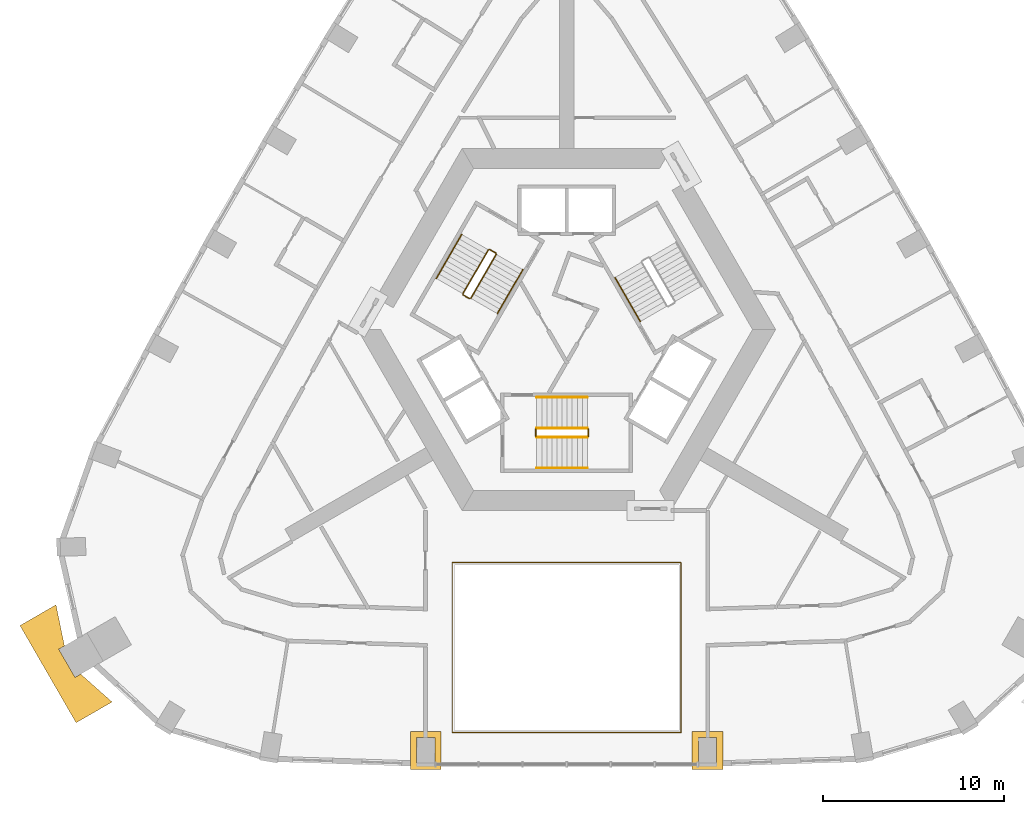
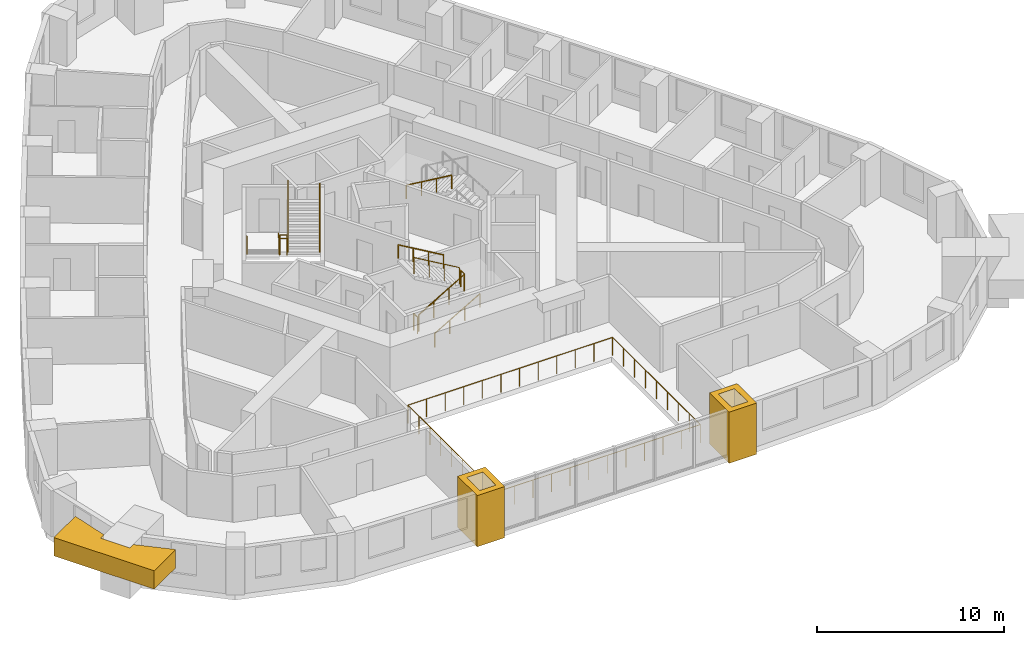
# One storey, part 10 of 12: 14 railings, 3 coverings.
"""IFC4 building model written with IfcOpenShell, lengths in metres."""

from ifc_helpers import new_model, si_unit, direction, frame, origin, origin_2d, place, context, subcontext, project, spatial, polyline, circle, outline, extrude, material, type_object, element, save


model = new_model("IFC4")

# Units and contexts
model_context = context("Model", 3, precision=1e-05, world=origin(), true_north=direction((0.0, 1.0)))
body_context = subcontext(model_context, "Body", "Model", "MODEL_VIEW")
ifc_project = project(units=[si_unit("LENGTHUNIT", "METRE"), si_unit("AREAUNIT", "SQUARE_METRE"), si_unit("VOLUMEUNIT", "CUBIC_METRE"), si_unit("PLANEANGLEUNIT", "RADIAN"), si_unit("MASSUNIT", "GRAM", prefix="KILO")], contexts=[model_context])

# Site, building, storey
site_placement = place(None, origin())
site = spatial("IfcSite", under=ifc_project, at=site_placement, CompositionType="ELEMENT")
building_placement = place(site_placement, origin())
building = spatial("IfcBuilding", under=site, at=building_placement, Name="Entoto Arch Interchange Tower", CompositionType="ELEMENT")
storey_placement = place(building_placement, frame((0.0, 0.0, 277.39990234375)))
storey = spatial("IfcBuildingStorey", under=building, at=storey_placement, Name="L64", CompositionType="ELEMENT", Elevation=277.39990234375)

# Railing
ifc_material_1 = material(Name="Stainless steel 1.4301", Category="steel")
railing_type_1 = type_object("IfcRailingType", Name="ATRIUM GUARD 1200 STEEL AND GLASS", PredefinedType="GUARDRAIL", material=ifc_material_1)
railing_1_placement = place(storey_placement, frame((6.320068359375, -19.77001953125, 0.0)))
element("IfcRailing", 1, at=railing_1_placement, inside=storey, type_object=railing_type_1, Name="Atrium guard L64", PredefinedType="GUARDRAIL", context=body_context, shape_type="SweptSolid", body=[
    extrude(circle(Radius=0.02392578125, at=origin_2d()), frame((0.0, 0.0, 1.17578125), z_axis=(-1.0, 0.0, 0.0), x_axis=(0.0, -1.0, 0.0)), (0.0, 0.0, 1.0), 12.64013671875),
    extrude(circle(Radius=0.02392578125, at=origin_2d()), frame((-12.64013671875, 0.0, 1.17578125), z_axis=(0.0, 1.0, 0.0), x_axis=(-1.0, 0.0, 0.0)), (0.0, 0.0, 1.0), 9.39013671875),
    extrude(circle(Radius=0.02392578125, at=origin_2d()), frame((-12.64013671875, 9.39013671875, 1.17578125), z_axis=(1.0, 0.0, 0.0), x_axis=(0.0, 1.0, 0.0)), (0.0, 0.0, 1.0), 12.64013671875),
    extrude(circle(Radius=0.02392578125, at=origin_2d()), frame((0.0, 9.39013671875, 1.17578125), z_axis=(0.0, -1.0, 0.0), x_axis=(1.0, 0.0, 0.0)), (0.0, 0.0, 1.0), 9.39013671875),
    extrude(circle(Radius=0.02099609375, at=origin_2d()), origin(), (0.0, 0.0, 1.0), 1.15185546875),
    extrude(circle(Radius=0.02099609375, at=origin_2d()), frame((-1.149169921875, 0.0, 0.0)), (0.0, 0.0, 1.0), 1.15185546875),
    extrude(circle(Radius=0.02099609375, at=origin_2d()), frame((-2.298095703125, 0.0, 0.0)), (0.0, 0.0, 1.0), 1.15185546875),
    extrude(circle(Radius=0.02099609375, at=origin_2d()), frame((-3.447265625, 0.0, 0.0)), (0.0, 0.0, 1.0), 1.15185546875),
    extrude(circle(Radius=0.02099609375, at=origin_2d()), frame((-4.596435546875, 0.0, 0.0)), (0.0, 0.0, 1.0), 1.15185546875),
    extrude(circle(Radius=0.02099609375, at=origin_2d()), frame((-5.74560546875, 0.0, 0.0)), (0.0, 0.0, 1.0), 1.15185546875),
    extrude(circle(Radius=0.02099609375, at=origin_2d()), frame((-6.89453125, 0.0, 0.0)), (0.0, 0.0, 1.0), 1.15185546875),
    extrude(circle(Radius=0.02099609375, at=origin_2d()), frame((-8.043701171875, 0.0, 0.0)), (0.0, 0.0, 1.0), 1.15185546875),
    extrude(circle(Radius=0.02099609375, at=origin_2d()), frame((-9.19287109375, 0.0, 0.0)), (0.0, 0.0, 1.0), 1.15185546875),
    extrude(circle(Radius=0.02099609375, at=origin_2d()), frame((-10.342041015625, 0.0, 0.0)), (0.0, 0.0, 1.0), 1.15185546875),
    extrude(circle(Radius=0.02099609375, at=origin_2d()), frame((-11.490966796875, 0.0, 0.0)), (0.0, 0.0, 1.0), 1.15185546875),
    extrude(circle(Radius=0.02099609375, at=origin_2d()), frame((-12.64013671875, 0.0, 0.0)), (0.0, 0.0, 1.0), 1.15185546875),
    extrude(circle(Radius=0.02099609375, at=origin_2d()), frame((-12.64013671875, 1.173828125, 0.0)), (0.0, 0.0, 1.0), 1.15185546875),
    extrude(circle(Radius=0.02099609375, at=origin_2d()), frame((-12.64013671875, 2.34765625, 0.0)), (0.0, 0.0, 1.0), 1.15185546875),
    extrude(circle(Radius=0.02099609375, at=origin_2d()), frame((-12.64013671875, 3.521240234375, 0.0)), (0.0, 0.0, 1.0), 1.15185546875),
    extrude(circle(Radius=0.02099609375, at=origin_2d()), frame((-12.64013671875, 4.695068359375, 0.0)), (0.0, 0.0, 1.0), 1.15185546875),
    extrude(circle(Radius=0.02099609375, at=origin_2d()), frame((-12.64013671875, 5.868896484375, 0.0)), (0.0, 0.0, 1.0), 1.15185546875),
    extrude(circle(Radius=0.02099609375, at=origin_2d()), frame((-12.64013671875, 7.04248046875, 0.0)), (0.0, 0.0, 1.0), 1.15185546875),
    extrude(circle(Radius=0.02099609375, at=origin_2d()), frame((-12.64013671875, 8.21630859375, 0.0)), (0.0, 0.0, 1.0), 1.15185546875),
    extrude(circle(Radius=0.02099609375, at=origin_2d()), frame((-12.64013671875, 9.39013671875, 0.0)), (0.0, 0.0, 1.0), 1.15185546875),
    extrude(circle(Radius=0.02099609375, at=origin_2d()), frame((-11.490966796875, 9.39013671875, 0.0)), (0.0, 0.0, 1.0), 1.15185546875),
    extrude(circle(Radius=0.02099609375, at=origin_2d()), frame((-10.342041015625, 9.39013671875, 0.0)), (0.0, 0.0, 1.0), 1.15185546875),
    extrude(circle(Radius=0.02099609375, at=origin_2d()), frame((-9.19287109375, 9.39013671875, 0.0)), (0.0, 0.0, 1.0), 1.15185546875),
    extrude(circle(Radius=0.02099609375, at=origin_2d()), frame((-8.043701171875, 9.39013671875, 0.0)), (0.0, 0.0, 1.0), 1.15185546875),
    extrude(circle(Radius=0.02099609375, at=origin_2d()), frame((-6.89453125, 9.39013671875, 0.0)), (0.0, 0.0, 1.0), 1.15185546875),
    extrude(circle(Radius=0.02099609375, at=origin_2d()), frame((-5.74560546875, 9.39013671875, 0.0)), (0.0, 0.0, 1.0), 1.15185546875),
    extrude(circle(Radius=0.02099609375, at=origin_2d()), frame((-4.596435546875, 9.39013671875, 0.0)), (0.0, 0.0, 1.0), 1.15185546875),
    extrude(circle(Radius=0.02099609375, at=origin_2d()), frame((-3.447265625, 9.39013671875, 0.0)), (0.0, 0.0, 1.0), 1.15185546875),
    extrude(circle(Radius=0.02099609375, at=origin_2d()), frame((-2.298095703125, 9.39013671875, 0.0)), (0.0, 0.0, 1.0), 1.15185546875),
    extrude(circle(Radius=0.02099609375, at=origin_2d()), frame((-1.149169921875, 9.39013671875, 0.0)), (0.0, 0.0, 1.0), 1.15185546875),
    extrude(circle(Radius=0.02099609375, at=origin_2d()), frame((0.0, 9.39013671875, 0.0)), (0.0, 0.0, 1.0), 1.15185546875),
    extrude(circle(Radius=0.02099609375, at=origin_2d()), frame((0.0, 8.21630859375, 0.0)), (0.0, 0.0, 1.0), 1.15185546875),
    extrude(circle(Radius=0.02099609375, at=origin_2d()), frame((0.0, 7.04248046875, 0.0)), (0.0, 0.0, 1.0), 1.15185546875),
    extrude(circle(Radius=0.02099609375, at=origin_2d()), frame((0.0, 5.868896484375, 0.0)), (0.0, 0.0, 1.0), 1.15185546875),
    extrude(circle(Radius=0.02099609375, at=origin_2d()), frame((0.0, 4.695068359375, 0.0)), (0.0, 0.0, 1.0), 1.15185546875),
    extrude(circle(Radius=0.02099609375, at=origin_2d()), frame((0.0, 3.521240234375, 0.0)), (0.0, 0.0, 1.0), 1.15185546875),
    extrude(circle(Radius=0.02099609375, at=origin_2d()), frame((0.0, 2.34765625, 0.0)), (0.0, 0.0, 1.0), 1.15185546875),
    extrude(circle(Radius=0.02099609375, at=origin_2d()), frame((0.0, 1.173828125, 0.0)), (0.0, 0.0, 1.0), 1.15185546875),
])

# Coverings
ifc_material_2 = material(Name="Board-marked precast concrete C50/60", Category="concrete")
covering_type = type_object("IfcCoveringType", Name="PRECAST FRAME COURSE", PredefinedType="CLADDING", material=ifc_material_2)
covering_1_placement = place(storey_placement, frame((0.0, 0.0, 1.800048828125)))
element("IfcCovering", 2, at=covering_1_placement, inside=storey, type_object=covering_type, Name="Corner pilaster head SW L63-L64", PredefinedType="CLADDING", context=body_context, shape_type="SweptSolid", body=[
    extrude(outline(polyline([(-27.10498046875, -19.22900390625), (-30.205078125, -13.85888671875), (-28.216064453125, -12.7109375), (-27.75, -14.98291015625), (-28.06494140625, -15.1650390625), (-27.1650390625, -16.722900390625), (-26.85107421875, -16.5419921875), (-25.115966796875, -18.0810546875), (-27.10498046875, -19.22900390625)])), origin(), (0.0, 0.0, 1.0), 1.199951171875),
])
covering_2_placement = place(storey_placement, frame((0.0, 0.0, -0.33984375)))
element("IfcCovering", 3, at=covering_2_placement, inside=storey, type_object=covering_type, Name="Gate pier L64", PredefinedType="CLADDING", context=body_context, shape_type="SweptSolid", body=[
    extrude(outline(polyline([(-8.634033203125, -19.699951171875), (-6.93408203125, -19.699951171875), (-6.93408203125, -21.800048828125), (-8.634033203125, -21.800048828125), (-8.634033203125, -19.699951171875)]), holes=[polyline([(-8.283935546875, -20.050048828125), (-8.283935546875, -21.449951171875), (-7.283935546875, -21.449951171875), (-7.283935546875, -20.050048828125), (-8.283935546875, -20.050048828125)])]), origin(), (0.0, 0.0, 1.0), 3.33984375),
])
covering_3_placement = place(storey_placement, frame((0.0, 0.0, -0.33984375)))
element("IfcCovering", 4, at=covering_3_placement, inside=storey, type_object=covering_type, Name="Gate pier L64", PredefinedType="CLADDING", context=body_context, shape_type="SweptSolid", body=[
    extrude(outline(polyline([(6.93408203125, -19.699951171875), (8.634033203125, -19.699951171875), (8.634033203125, -21.800048828125), (6.93408203125, -21.800048828125), (6.93408203125, -19.699951171875)]), holes=[polyline([(7.283935546875, -20.050048828125), (7.283935546875, -21.449951171875), (8.283935546875, -21.449951171875), (8.283935546875, -20.050048828125), (7.283935546875, -20.050048828125)])]), origin(), (0.0, 0.0, 1.0), 3.33984375),
])

# Railings
railing_type_2 = type_object("IfcRailingType", Name="STAIR GUARD 1100 STEEL", PredefinedType="GUARDRAIL", material=ifc_material_1)
railing_2_placement = place(storey_placement, frame((-1.64990234375, -3.449951171875, 0.163818359375)))
element("IfcRailing", 5, at=railing_2_placement, inside=storey, type_object=railing_type_2, Name="L64 ST-S stair guard 1", PredefinedType="GUARDRAIL", context=body_context, shape_type="SweptSolid", body=[
    extrude(circle(Radius=0.02392578125, at=origin_2d()), frame((0.0, 0.0, 1.076171875), z_axis=(0.863374499697, 0.0, 0.504563646405), x_axis=(0.0, 1.0, 0.0)), (0.0, 0.0, 1.0), 3.242919921875),
    extrude(circle(Radius=0.02099609375, at=origin_2d()), origin(), (0.0, 0.0, 1.0), 1.052001953125),
    extrude(circle(Radius=0.02099609375, at=origin_2d()), frame((0.933349609375, 0.0, 0.54541015625)), (0.0, 0.0, 1.0), 1.052001953125),
    extrude(circle(Radius=0.02099609375, at=origin_2d()), frame((1.866455078125, 0.0, 1.0908203125)), (0.0, 0.0, 1.0), 1.052001953125),
    extrude(circle(Radius=0.02099609375, at=origin_2d()), frame((2.7998046875, 0.0, 1.63623046875)), (0.0, 0.0, 1.0), 1.052001953125),
])
railing_3_placement = place(storey_placement, frame((1.199951171875, -3.39990234375, 1.800048828125)))
element("IfcRailing", 6, at=railing_3_placement, inside=storey, type_object=railing_type_2, Name="L64 ST-S stair guard 2", PredefinedType="GUARDRAIL", context=body_context, shape_type="SweptSolid", body=[
    extrude(circle(Radius=0.02392578125, at=origin_2d()), frame((0.0, 0.0, 1.076171875), z_axis=(0.0, 1.0, 0.0), x_axis=(-1.0, 0.0, 0.0)), (0.0, 0.0, 1.0), 0.39990234375),
    extrude(circle(Radius=0.02099609375, at=origin_2d()), origin(), (0.0, 0.0, 1.0), 1.052001953125),
    extrude(circle(Radius=0.02099609375, at=origin_2d()), frame((0.0, 0.39990234375, 0.0)), (0.0, 0.0, 1.0), 1.052001953125),
])
railing_4_placement = place(storey_placement, frame((1.14990234375, -2.949951171875, 1.963623046875)))
element("IfcRailing", 7, at=railing_4_placement, inside=storey, type_object=railing_type_2, Name="L64 ST-S stair guard 3", PredefinedType="GUARDRAIL", context=body_context, shape_type="SweptSolid", body=[
    extrude(circle(Radius=0.02392578125, at=origin_2d()), frame((0.0, 0.0, 1.076171875), z_axis=(-0.863341702679, 0.0, 0.504619762213), x_axis=(0.0, -1.0, 0.0)), (0.0, 0.0, 1.0), 3.242919921875),
    extrude(circle(Radius=0.02099609375, at=origin_2d()), origin(), (0.0, 0.0, 1.0), 1.052001953125),
    extrude(circle(Radius=0.02099609375, at=origin_2d()), frame((-0.933349609375, 0.0, 0.54541015625)), (0.0, 0.0, 1.0), 1.052001953125),
    extrude(circle(Radius=0.02099609375, at=origin_2d()), frame((-1.866455078125, 0.0, 1.091064453125)), (0.0, 0.0, 1.0), 1.052001953125),
    extrude(circle(Radius=0.02099609375, at=origin_2d()), frame((-2.7998046875, 0.0, 1.636474609375)), (0.0, 0.0, 1.0), 1.052001953125),
])
railing_5_placement = place(storey_placement, frame((-1.699951171875, -3.39990234375, 0.0)))
element("IfcRailing", 8, at=railing_5_placement, inside=storey, type_object=railing_type_2, Name="L64 ST-S stair guard 4", PredefinedType="GUARDRAIL", context=body_context, shape_type="SweptSolid", body=[
    extrude(circle(Radius=0.02392578125, at=origin_2d()), frame((0.0, 0.0, 1.076171875), z_axis=(0.0, 1.0, 0.0), x_axis=(-1.0, 0.0, 0.0)), (0.0, 0.0, 1.0), 0.39990234375),
    extrude(circle(Radius=0.02099609375, at=origin_2d()), origin(), (0.0, 0.0, 1.0), 1.052001953125),
    extrude(circle(Radius=0.02099609375, at=origin_2d()), frame((0.0, 0.39990234375, 0.0)), (0.0, 0.0, 1.0), 1.052001953125),
])
railing_6_placement = place(storey_placement, frame((-4.327880859375, 6.904052734375, 0.163818359375)))
element("IfcRailing", 9, at=railing_6_placement, inside=storey, type_object=railing_type_2, Name="L64 ST-NW stair guard 1", PredefinedType="GUARDRAIL", context=body_context, shape_type="SweptSolid", body=[
    extrude(circle(Radius=0.02392578125, at=origin_2d()), frame((0.0, 0.0, 1.076171875), z_axis=(-0.43165272891, -0.747751404999, 0.504523297725), x_axis=(0.866056369097, -0.49994636267, 0.0)), (0.0, 0.0, 1.0), 3.2431640625),
    extrude(circle(Radius=0.02099609375, at=origin_2d()), origin(), (0.0, 0.0, 1.0), 1.052001953125),
    extrude(circle(Radius=0.02099609375, at=origin_2d()), frame((-0.466552734375, -0.808349609375, 0.54541015625)), (0.0, 0.0, 1.0), 1.052001953125),
    extrude(circle(Radius=0.02099609375, at=origin_2d()), frame((-0.933349609375, -1.61669921875, 1.0908203125)), (0.0, 0.0, 1.0), 1.052001953125),
    extrude(circle(Radius=0.02099609375, at=origin_2d()), frame((-1.39990234375, -2.425048828125, 1.63623046875)), (0.0, 0.0, 1.0), 1.052001953125),
])
railing_7_placement = place(storey_placement, frame((-5.70947265625, 4.410888671875, 1.800048828125)))
element("IfcRailing", 10, at=railing_7_placement, inside=storey, type_object=railing_type_2, Name="L64 ST-NW stair guard 2", PredefinedType="GUARDRAIL", context=body_context, shape_type="SweptSolid", body=[
    extrude(circle(Radius=0.02392578125, at=origin_2d()), frame((0.0, 0.0, 1.076171875), z_axis=(0.865829829939, -0.500338590944, 0.0), x_axis=(0.500338590944, 0.865829829939, 0.0)), (0.0, 0.0, 1.0), 0.400146484375),
    extrude(circle(Radius=0.02099609375, at=origin_2d()), origin(), (0.0, 0.0, 1.0), 1.052001953125),
    extrude(circle(Radius=0.02099609375, at=origin_2d()), frame((0.346435546875, -0.2001953125, 0.0)), (0.0, 0.0, 1.0), 1.052001953125),
])
railing_8_placement = place(storey_placement, frame((-5.294921875, 4.22900390625, 1.963623046875)))
element("IfcRailing", 11, at=railing_8_placement, inside=storey, type_object=railing_type_2, Name="L64 ST-NW stair guard 3", PredefinedType="GUARDRAIL", context=body_context, shape_type="SweptSolid", body=[
    extrude(circle(Radius=0.02392578125, at=origin_2d()), frame((0.0, 0.0, 1.076171875), z_axis=(0.431697583215, 0.747698708645, 0.504563016616), x_axis=(-0.866018616679, 0.500011755427, 0.0)), (0.0, 0.0, 1.0), 3.243408203125),
    extrude(circle(Radius=0.02099609375, at=origin_2d()), origin(), (0.0, 0.0, 1.0), 1.052001953125),
    extrude(circle(Radius=0.02099609375, at=origin_2d()), frame((0.466796875, 0.808349609375, 0.54541015625)), (0.0, 0.0, 1.0), 1.052001953125),
    extrude(circle(Radius=0.02099609375, at=origin_2d()), frame((0.933349609375, 1.61669921875, 1.091064453125)), (0.0, 0.0, 1.0), 1.052001953125),
    extrude(circle(Radius=0.02099609375, at=origin_2d()), frame((1.400146484375, 2.425048828125, 1.636474609375)), (0.0, 0.0, 1.0), 1.052001953125),
])
railing_9_placement = place(storey_placement, frame((-4.259521484375, 6.92236328125, 0.0)))
element("IfcRailing", 12, at=railing_9_placement, inside=storey, type_object=railing_type_2, Name="L64 ST-NW stair guard 4", PredefinedType="GUARDRAIL", context=body_context, shape_type="SweptSolid", body=[
    extrude(circle(Radius=0.02392578125, at=origin_2d()), frame((0.0, 0.0, 1.076171875), z_axis=(0.865829829939, -0.500338590944, 0.0), x_axis=(0.500338590944, 0.865829829939, 0.0)), (0.0, 0.0, 1.0), 0.400146484375),
    extrude(circle(Radius=0.02099609375, at=origin_2d()), origin(), (0.0, 0.0, 1.0), 1.052001953125),
    extrude(circle(Radius=0.02099609375, at=origin_2d()), frame((0.346435546875, -0.2001953125, 0.0)), (0.0, 0.0, 1.0), 1.052001953125),
])
railing_type_3 = type_object("IfcRailingType", Name="STAIR HANDRAIL 900 STEEL", PredefinedType="HANDRAIL", material=ifc_material_1)
railing_10_placement = place(storey_placement, frame((-1.64990234375, -5.14990234375, 0.163818359375)))
element("IfcRailing", 13, at=railing_10_placement, inside=storey, type_object=railing_type_3, Name="L64 ST-S stair handrail 1", PredefinedType="HANDRAIL", context=body_context, shape_type="SweptSolid", body=[
    extrude(circle(Radius=0.02392578125, at=origin_2d()), frame((0.0, 0.0, 0.8759765625), z_axis=(0.863374499697, 0.0, 0.504563646405), x_axis=(0.0, 1.0, 0.0)), (0.0, 0.0, 1.0), 3.242919921875),
    extrude(circle(Radius=0.02099609375, at=origin_2d()), origin(), (0.0, 0.0, 1.0), 0.851806640625),
    extrude(circle(Radius=0.02099609375, at=origin_2d()), frame((0.933349609375, 0.0, 0.54541015625)), (0.0, 0.0, 1.0), 0.851806640625),
    extrude(circle(Radius=0.02099609375, at=origin_2d()), frame((1.866455078125, 0.0, 1.0908203125)), (0.0, 0.0, 1.0), 0.851806640625),
    extrude(circle(Radius=0.02099609375, at=origin_2d()), frame((2.7998046875, 0.0, 1.63623046875)), (0.0, 0.0, 1.0), 0.851806640625),
])
railing_11_placement = place(storey_placement, frame((1.14990234375, -1.25, 1.963623046875)))
element("IfcRailing", 14, at=railing_11_placement, inside=storey, type_object=railing_type_3, Name="L64 ST-S stair handrail 2", PredefinedType="HANDRAIL", context=body_context, shape_type="SweptSolid", body=[
    extrude(circle(Radius=0.02392578125, at=origin_2d()), frame((0.0, 0.0, 0.8759765625), z_axis=(-0.863341702679, 0.0, 0.504619762213), x_axis=(0.0, -1.0, 0.0)), (0.0, 0.0, 1.0), 3.242919921875),
    extrude(circle(Radius=0.02099609375, at=origin_2d()), origin(), (0.0, 0.0, 1.0), 0.851806640625),
    extrude(circle(Radius=0.02099609375, at=origin_2d()), frame((-0.933349609375, 0.0, 0.54541015625)), (0.0, 0.0, 1.0), 0.851806640625),
    extrude(circle(Radius=0.02099609375, at=origin_2d()), frame((-1.866455078125, 0.0, 1.091064453125)), (0.0, 0.0, 1.0), 0.851806640625),
    extrude(circle(Radius=0.02099609375, at=origin_2d()), frame((-2.7998046875, 0.0, 1.636474609375)), (0.0, 0.0, 1.0), 0.851806640625),
])
railing_12_placement = place(storey_placement, frame((2.672607421875, 5.370849609375, 1.963623046875)))
element("IfcRailing", 15, at=railing_12_placement, inside=storey, type_object=railing_type_3, Name="L64 ST-NE stair handrail 2", PredefinedType="HANDRAIL", context=body_context, shape_type="SweptSolid", body=[
    extrude(circle(Radius=0.02392578125, at=origin_2d()), frame((0.0, 0.0, 0.8759765625), z_axis=(0.431660630283, -0.747689811644, 0.504607813879), x_axis=(0.866034573852, 0.49998411664, 0.0)), (0.0, 0.0, 1.0), 3.2431640625),
    extrude(circle(Radius=0.02099609375, at=origin_2d()), origin(), (0.0, 0.0, 1.0), 0.851806640625),
    extrude(circle(Radius=0.02099609375, at=origin_2d()), frame((0.466552734375, -0.808349609375, 0.54541015625)), (0.0, 0.0, 1.0), 0.851806640625),
    extrude(circle(Radius=0.02099609375, at=origin_2d()), frame((0.933349609375, -1.616455078125, 1.091064453125)), (0.0, 0.0, 1.0), 0.851806640625),
    extrude(circle(Radius=0.02099609375, at=origin_2d()), frame((1.39990234375, -2.4248046875, 1.636474609375)), (0.0, 0.0, 1.0), 0.851806640625),
])
railing_13_placement = place(storey_placement, frame((-5.800048828125, 7.75390625, 0.163818359375)))
element("IfcRailing", 16, at=railing_13_placement, inside=storey, type_object=railing_type_3, Name="L64 ST-NW stair handrail 1", PredefinedType="HANDRAIL", context=body_context, shape_type="SweptSolid", body=[
    extrude(circle(Radius=0.02392578125, at=origin_2d()), frame((0.0, 0.0, 0.8759765625), z_axis=(-0.431738279637, -0.747693913401, 0.504535300807), x_axis=(0.865996816683, -0.500049511043, 0.0)), (0.0, 0.0, 1.0), 3.2431640625),
    extrude(circle(Radius=0.02099609375, at=origin_2d()), origin(), (0.0, 0.0, 1.0), 0.851806640625),
    extrude(circle(Radius=0.02099609375, at=origin_2d()), frame((-0.466796875, -0.808349609375, 0.54541015625)), (0.0, 0.0, 1.0), 0.851806640625),
    extrude(circle(Radius=0.02099609375, at=origin_2d()), frame((-0.933349609375, -1.616455078125, 1.0908203125)), (0.0, 0.0, 1.0), 0.851806640625),
    extrude(circle(Radius=0.02099609375, at=origin_2d()), frame((-1.400146484375, -2.4248046875, 1.63623046875)), (0.0, 0.0, 1.0), 0.851806640625),
])
railing_14_placement = place(storey_placement, frame((-3.822509765625, 3.379150390625, 1.963623046875)))
element("IfcRailing", 17, at=railing_14_placement, inside=storey, type_object=railing_type_3, Name="L64 ST-NW stair handrail 2", PredefinedType="HANDRAIL", context=body_context, shape_type="SweptSolid", body=[
    extrude(circle(Radius=0.02392578125, at=origin_2d()), frame((0.0, 0.0, 0.8759765625), z_axis=(0.431660630283, 0.747689811644, 0.504607813879), x_axis=(-0.866034573852, 0.49998411664, 0.0)), (0.0, 0.0, 1.0), 3.2431640625),
    extrude(circle(Radius=0.02099609375, at=origin_2d()), origin(), (0.0, 0.0, 1.0), 0.851806640625),
    extrude(circle(Radius=0.02099609375, at=origin_2d()), frame((0.466552734375, 0.808349609375, 0.54541015625)), (0.0, 0.0, 1.0), 0.851806640625),
    extrude(circle(Radius=0.02099609375, at=origin_2d()), frame((0.933349609375, 1.616455078125, 1.091064453125)), (0.0, 0.0, 1.0), 0.851806640625),
    extrude(circle(Radius=0.02099609375, at=origin_2d()), frame((1.39990234375, 2.4248046875, 1.636474609375)), (0.0, 0.0, 1.0), 0.851806640625),
])

save(model, "model.ifc")
